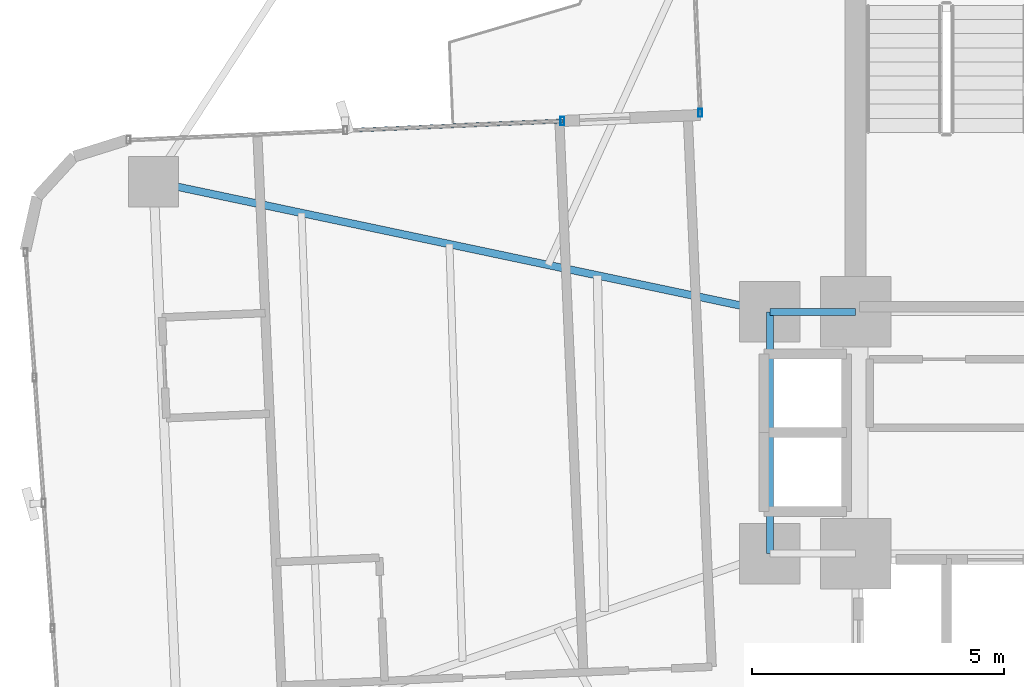
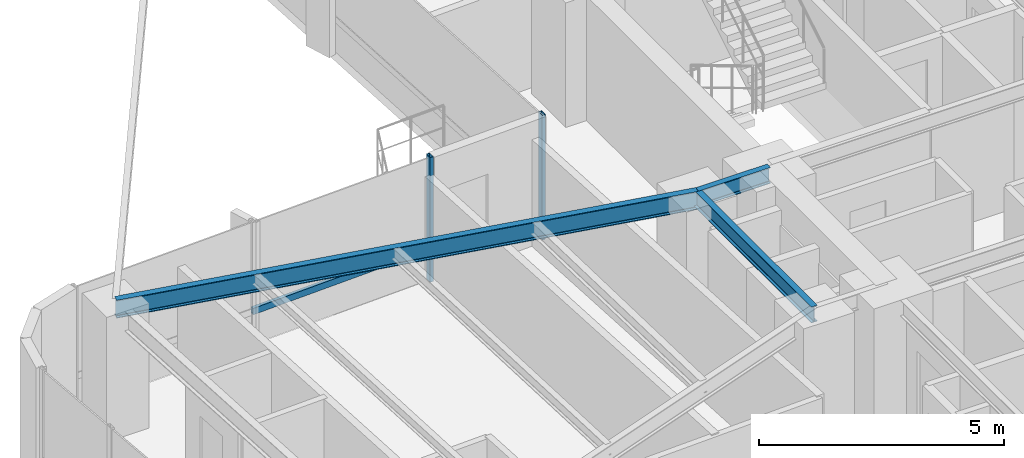
# One storey, part 10 of 26: 3 beams, 3 members, 2 elements without a shape of their own.
"""IFC4 building model written with IfcOpenShell, lengths in metres."""

from ifc_helpers import new_model, si_unit, direction, frame, origin, origin_2d, place, context, subcontext, project, spatial, hollow_rectangle, i_section, extrude, source, transform, mapped, material, material_profile, profile_set, type_object, element, aggregate, save


model = new_model("IFC4")

# Units and contexts
model_context = context("Model", 3, precision=1e-05, world=origin(), true_north=direction((0.0, 1.0)))
body_context = subcontext(model_context, "Body", "Model", "MODEL_VIEW")
ifc_project = project(units=[si_unit("LENGTHUNIT", "METRE"), si_unit("AREAUNIT", "SQUARE_METRE"), si_unit("VOLUMEUNIT", "CUBIC_METRE"), si_unit("PLANEANGLEUNIT", "RADIAN"), si_unit("MASSUNIT", "GRAM", prefix="KILO")], contexts=[model_context])

# Site, building, storey
site_placement = place(None, origin())
site = spatial("IfcSite", under=ifc_project, at=site_placement, CompositionType="ELEMENT")
building_placement = place(site_placement, origin())
building = spatial("IfcBuilding", under=site, at=building_placement, Name="Sahyath Konkavel Grand Hotel", CompositionType="ELEMENT")
storey_placement = place(building_placement, frame((0.0, 0.0, 131.550048828125)))
storey = spatial("IfcBuildingStorey", under=building, at=storey_placement, Name="L36", CompositionType="ELEMENT", Elevation=131.550048828125)

# Beams
ifc_material_1 = material(Name="Steel E350", Category="steel")
ifc_material_profile_1 = material_profile(ifc_material_1, i_section(OverallWidth=0.139892578125, OverallDepth=0.39990234375, WebThickness=0.0087890625, FlangeThickness=0.01611328125, FilletRadius=0.013916015625, at=origin_2d()), Name="ISMB 400")
ifc_profile_set_1 = profile_set([ifc_material_profile_1], Name="Steel E350")
beam_type_1 = type_object("IfcBeamType", Name="BM-ISMB400", PredefinedType="BEAM", material=ifc_profile_set_1)
shared_shape_1 = source(origin(), body_context, "Body", "SweptSolid", [
    extrude(i_section(OverallWidth=0.139892578125, OverallDepth=0.39990234375, WebThickness=0.0087890625, FlangeThickness=0.01611328125, FilletRadius=0.013916015625, at=origin_2d()), origin(), (0.0, 0.0, 1.0), 1.699951171875),
])
beam_1_placement = place(storey_placement, frame((-5.5, 2.39990234375, 2.909912109375), z_axis=(1.0, 0.0, 0.0), x_axis=(0.0, 1.0, 0.0)))
element("IfcBeam", 1, at=beam_1_placement, inside=storey, type_object=beam_type_1, Name="str:bm:L36:HB-NW", PredefinedType="BEAM", context=body_context, shape_type="MappedRepresentation", body=[
    mapped(shared_shape_1, transform((0.0, 0.0, 0.0), scale=1.0)),
])
shared_shape_2 = source(origin(), body_context, "Body", "SweptSolid", [
    extrude(i_section(OverallWidth=0.139892578125, OverallDepth=0.39990234375, WebThickness=0.0087890625, FlangeThickness=0.01611328125, FilletRadius=0.013916015625, at=origin_2d()), origin(), (0.0, 0.0, 1.0), 4.7998046875),
])
beam_2_placement = place(storey_placement, frame((-5.5, -2.39990234375, 2.909912109375), z_axis=(0.0, 1.0, 0.0), x_axis=(-1.0, 0.0, 0.0)))
element("IfcBeam", 2, at=beam_2_placement, inside=storey, type_object=beam_type_1, Name="str:bm:L36:HB-W", PredefinedType="BEAM", context=body_context, shape_type="MappedRepresentation", body=[
    mapped(shared_shape_2, transform((0.0, 0.0, 0.0), scale=1.0)),
])
ifc_material_profile_2 = material_profile(ifc_material_1, i_section(OverallWidth=0.14990234375, OverallDepth=0.449951171875, WebThickness=0.009521484375, FlangeThickness=0.017333984375, FilletRadius=0.014892578125, at=origin_2d()), Name="ISMB 450")
ifc_profile_set_2 = profile_set([ifc_material_profile_2], Name="Steel E350")
beam_type_2 = type_object("IfcBeamType", Name="BM-ISMB450", PredefinedType="BEAM", material=ifc_profile_set_2)
shared_shape_3 = source(origin(), body_context, "Body", "SweptSolid", [
    extrude(i_section(OverallWidth=0.14990234375, OverallDepth=0.449951171875, WebThickness=0.009521484375, FlangeThickness=0.017333984375, FilletRadius=0.014892578125, at=origin_2d()), origin(), (0.0, 0.0, 1.0), 12.50341796875),
])
beam_3_placement = place(storey_placement, frame((-5.5, 2.39990234375, 2.885009765625), z_axis=(-0.978457911392, 0.206446398937, 0.0), x_axis=(-0.206446398937, -0.978457911392, 0.0)))
element("IfcBeam", 3, at=beam_3_placement, inside=storey, type_object=beam_type_2, Name="L36 Cruciform Radial Girder WA", PredefinedType="BEAM", context=body_context, shape_type="MappedRepresentation", body=[
    mapped(shared_shape_3, transform((0.0, 0.0, 0.0), scale=1.0)),
])

# Curtain wall, member
ifc_material_2 = material(Name="Anodised Bronze Aluminium & Low-E Glazing", Category="aluminium")
curtain_wall_type = type_object("IfcCurtainWallType", Name="CW-ZONE2", PredefinedType="NOTDEFINED", material=ifc_material_2)
curtain_wall_1_placement = place(storey_placement, origin())
curtain_wall_1 = element("IfcCurtainWall", 4, at=curtain_wall_1_placement, inside=storey, type_object=curtain_wall_type, Name="L36 Unitised Curtain Wall F15", PredefinedType="NOTDEFINED")
ifc_material_3 = material(Name="Anodised Bronze Aluminium", Category="aluminium")
ifc_material_profile_3 = material_profile(ifc_material_3, hollow_rectangle(XDim=0.080078125, YDim=0.159912109375, WallThickness=0.006103515625, at=origin_2d()), Name="RHS 160x80x6")
ifc_profile_set_3 = profile_set([ifc_material_profile_3], Name="Anodised Bronze Aluminium")
member_type_1 = type_object("IfcMemberType", Name="CW-MUL-160", PredefinedType="MULLION", material=ifc_profile_set_3)
shared_shape_4 = source(origin(), body_context, "Body", "SweptSolid", [
    extrude(hollow_rectangle(XDim=0.080078125, YDim=0.159912109375, WallThickness=0.006103515625, at=origin_2d()), origin(), (0.0, 0.0, 1.0), 3.10986328125),
])
member_1_placement = place(storey_placement, frame((-6.88330078125, 6.345703125, 0.0), z_axis=(0.0, 0.0, 1.0), x_axis=(1.0, 0.0, 0.0)))
member_1 = element("IfcMember", 5, at=member_1_placement, type_object=member_type_1, Name="L36 Curtain Wall Mullion F15-2", PredefinedType="MULLION", context=body_context, shape_type="MappedRepresentation", body=[
    mapped(shared_shape_4, transform((0.0, 0.0, 0.0), scale=1.0)),
])
aggregate(curtain_wall_1, [member_1])

# Curtain wall, members
curtain_wall_2_placement = place(storey_placement, origin())
curtain_wall_2 = element("IfcCurtainWall", 6, at=curtain_wall_2_placement, inside=storey, type_object=curtain_wall_type, Name="L36 Unitised Curtain Wall F16", PredefinedType="NOTDEFINED")
member_2_placement = place(storey_placement, frame((-9.618896484375, 6.186279296875, 0.0), z_axis=(0.0, 0.0, 1.0), x_axis=(1.0, 0.0, 0.0)))
member_2 = element("IfcMember", 7, at=member_2_placement, type_object=member_type_1, Name="L36 Curtain Wall Mullion F16-0", PredefinedType="MULLION", context=body_context, shape_type="MappedRepresentation", body=[
    mapped(shared_shape_4, transform((0.0, 0.0, 0.0), scale=1.0)),
])
ifc_material_profile_4 = material_profile(ifc_material_3, hollow_rectangle(XDim=0.080078125, YDim=0.159912109375, WallThickness=0.006103515625, at=origin_2d()), Name="RHS 160x80x6")
ifc_profile_set_4 = profile_set([ifc_material_profile_4], Name="Anodised Bronze Aluminium")
member_type_2 = type_object("IfcMemberType", Name="CW-TRN-160", PredefinedType="USERDEFINED", material=ifc_profile_set_4)
shared_shape_5 = source(origin(), body_context, "Body", "SweptSolid", [
    extrude(hollow_rectangle(XDim=0.080078125, YDim=0.159912109375, WallThickness=0.006103515625, at=origin_2d()), origin(), (0.0, 0.0, 1.0), 4.31005859375),
])
member_3_placement = place(storey_placement, frame((-9.618896484375, 6.186279296875, 0.849853515625), z_axis=(-0.999048340188, -0.043616670746, 0.0), x_axis=(0.043616670746, -0.999048340188, 0.0)))
member_3 = element("IfcMember", 8, at=member_3_placement, type_object=member_type_2, Name="L36 Curtain Wall Transom F16-0-spandrel", ObjectType="TRANSOM", PredefinedType="USERDEFINED", context=body_context, shape_type="MappedRepresentation", body=[
    mapped(shared_shape_5, transform((0.0, 0.0, 0.0), scale=1.0)),
])
aggregate(curtain_wall_2, [member_2, member_3])

save(model, "model.ifc")
